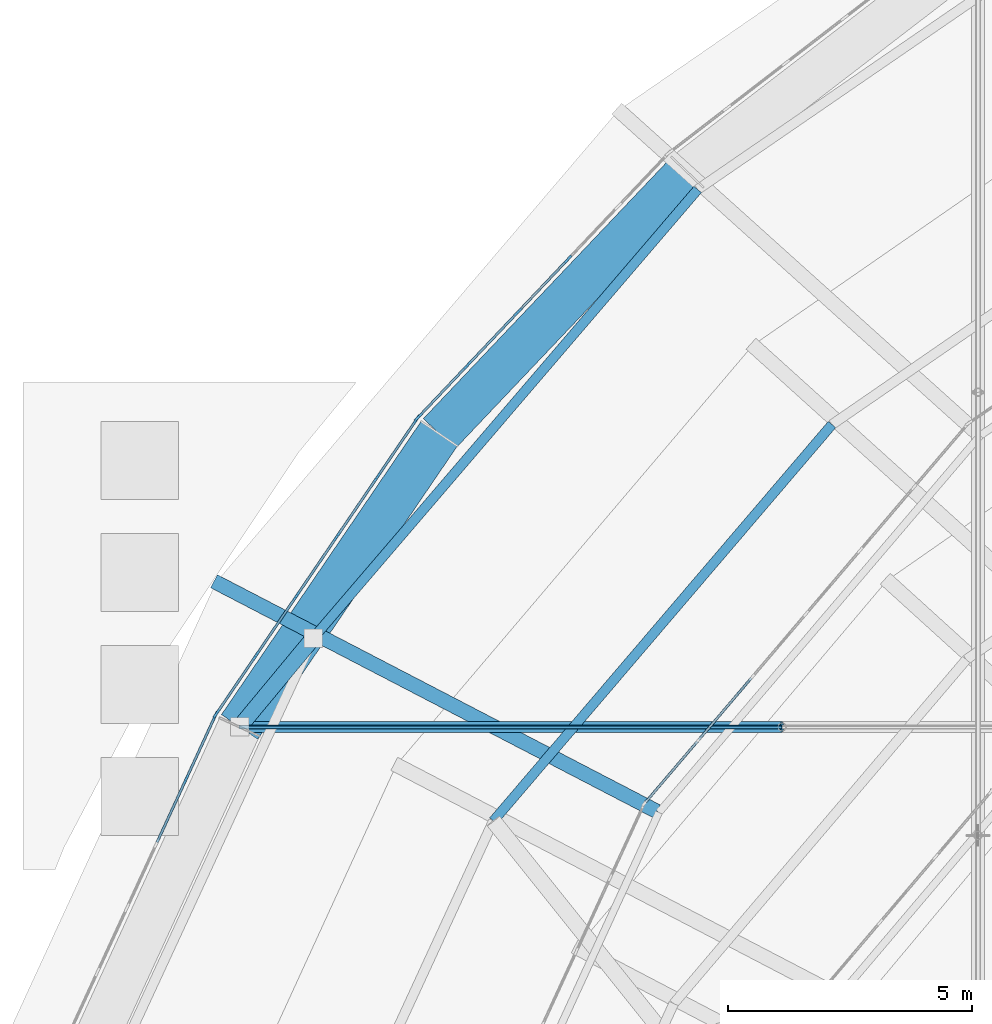
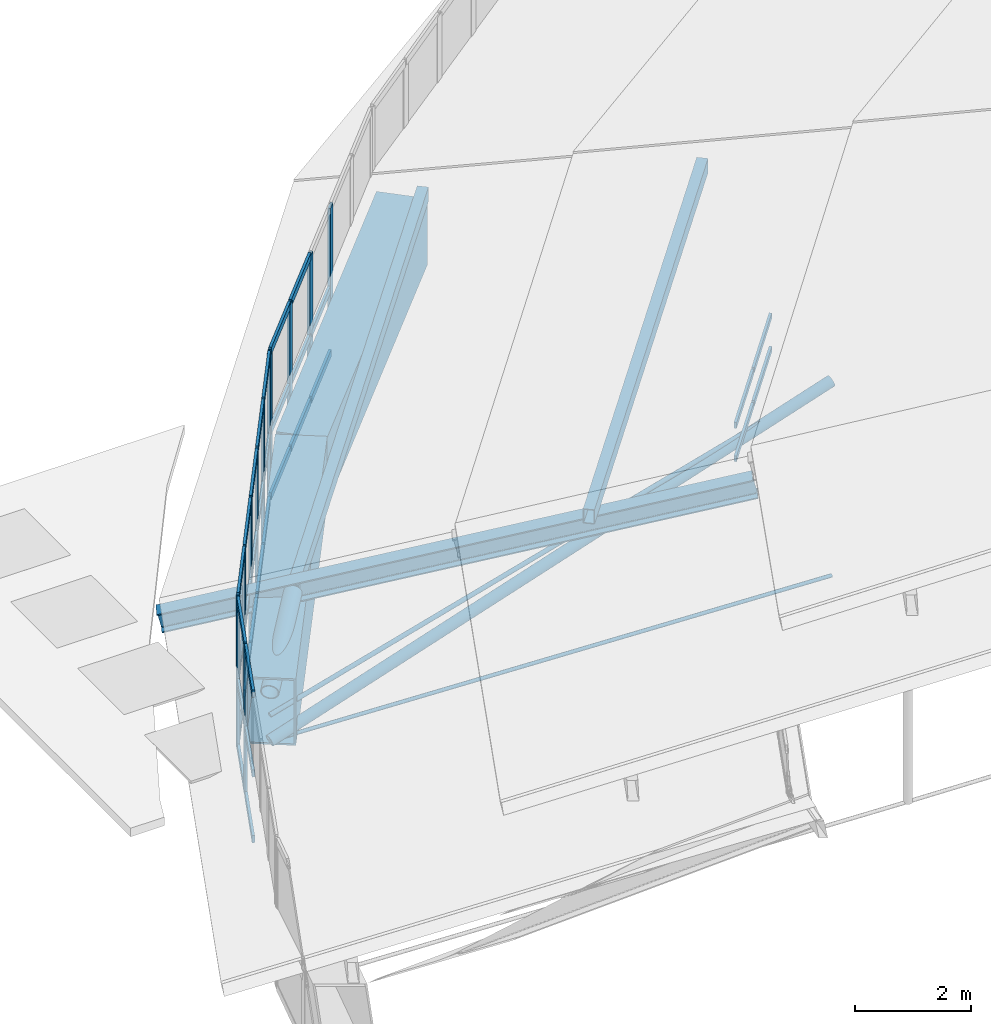
# One storey, part 101 of 173: 52 members, 2 beams, 4 elements without a shape of their own.
"""IFC4 building model written with IfcOpenShell, lengths in metres."""

from ifc_helpers import new_model, si_unit, direction, frame, origin, origin_2d, place, context, subcontext, project, spatial, rectangle, hollow_rectangle, circle, hollow_circle, i_section, extrude, material, material_profile, profile_set, type_object, element, aggregate, save


model = new_model("IFC4")

# Units and contexts
model_context = context("Model", 3, precision=1e-05, world=origin(), true_north=direction((0.0, 1.0)))
body_context = subcontext(model_context, "Body", "Model", "MODEL_VIEW")
ifc_project = project(units=[si_unit("LENGTHUNIT", "METRE"), si_unit("AREAUNIT", "SQUARE_METRE"), si_unit("VOLUMEUNIT", "CUBIC_METRE"), si_unit("PLANEANGLEUNIT", "RADIAN"), si_unit("MASSUNIT", "GRAM", prefix="KILO")], contexts=[model_context])

# Site, building, storey
site_placement = place(None, origin())
site = spatial("IfcSite", under=ifc_project, at=site_placement, CompositionType="ELEMENT")
building_placement = place(site_placement, origin())
building = spatial("IfcBuilding", under=site, at=building_placement, Name="Glasvene Arena", CompositionType="ELEMENT")
storey_placement = place(building_placement, frame((0.0, 0.0, 28.800048828125)))
storey = spatial("IfcBuildingStorey", under=building, at=storey_placement, Name="RF", CompositionType="ELEMENT", Elevation=28.800048828125)

# Beams
ifc_material_1 = material(Name="Steel S355J2", Category="steel")
ifc_material_profile_1 = material_profile(ifc_material_1, hollow_rectangle(XDim=0.89990234375, YDim=1.39990234375, WallThickness=0.034912109375, at=origin_2d()), Name="WBOX 900x1400x35")
ifc_profile_set_1 = profile_set([ifc_material_profile_1], Name="Steel S355J2")
beam_type = type_object("IfcBeamType", Name="BM-RING-BOX1400", PredefinedType="USERDEFINED", material=ifc_profile_set_1)
beam_1_placement = place(storey_placement, frame((56.644775390625, 104.81982421875, -0.699951171875), z_axis=(-0.688345435881, -0.725383044261, 0.0), x_axis=(0.725383044261, -0.688345435881, 0.0)))
element("IfcBeam", 1, at=beam_1_placement, inside=storey, type_object=beam_type, Name="Compression ring beam chord RB-16", ObjectType="RING BEAM", PredefinedType="USERDEFINED", context=body_context, shape_type="SweptSolid", body=[
    extrude(hollow_rectangle(XDim=0.89990234375, YDim=1.39990234375, WallThickness=0.034912109375, at=origin_2d()), origin(), (0.0, 0.0, 1.0), 7.402587890625),
])
beam_2_placement = place(storey_placement, frame((51.54931640625, 99.4501953125, -0.699951171875), z_axis=(-0.562841652838, -0.826564742674, 0.0), x_axis=(0.826564742674, -0.562841652838, 0.0)))
element("IfcBeam", 2, at=beam_2_placement, inside=storey, type_object=beam_type, Name="Compression ring beam chord RB-17", ObjectType="RING BEAM", PredefinedType="USERDEFINED", context=body_context, shape_type="SweptSolid", body=[
    extrude(hollow_rectangle(XDim=0.89990234375, YDim=1.39990234375, WallThickness=0.034912109375, at=origin_2d()), origin(), (0.0, 0.0, 1.0), 7.28369140625),
])

# Curtain wall, members
ifc_material_2 = material(Name="Low-emissivity laminated double glazing", Category="glass")
curtain_wall_type_1 = type_object("IfcCurtainWallType", Name="CW-DRUM-749x310", PredefinedType="USERDEFINED", material=ifc_material_2)
curtain_wall_1_placement = place(storey_placement, frame((56.255859375, 105.208740234375, 0.0)))
curtain_wall_1 = element("IfcCurtainWall", 3, at=curtain_wall_1_placement, inside=storey, type_object=curtain_wall_type_1, Name="Crown compression-ring fascia curtain wall 16", ObjectType="CURTAIN WALL", PredefinedType="USERDEFINED")
ifc_material_3 = material(Name="Anodised architectural aluminium", Category="aluminium")
ifc_material_profile_2 = material_profile(ifc_material_3, rectangle(XDim=0.050048828125, YDim=0.199951171875, at=origin_2d()), Name="ALU MULLION 50x200")
ifc_profile_set_2 = profile_set([ifc_material_profile_2], Name="Anodised architectural aluminium")
member_type_1 = type_object("IfcMemberType", Name="CW-MUL-180", PredefinedType="MULLION", material=ifc_profile_set_2)
member_1_placement = place(storey_placement, frame((54.195068359375, 103.03466796875, -1.380126953125), z_axis=(0.0, 0.0, 1.0), x_axis=(0.725782125252, -0.687924637344, 0.0)))
member_1 = element("IfcMember", 4, at=member_1_placement, type_object=member_type_1, Name="CW-075 mullion 3", PredefinedType="MULLION", context=body_context, shape_type="SweptSolid", body=[
    extrude(rectangle(XDim=0.050048828125, YDim=0.199951171875, at=origin_2d()), origin(), (0.0, 0.0, 1.0), 3.10009765625),
])
member_2_placement = place(storey_placement, frame((53.164794921875, 101.94775390625, -1.380126953125), z_axis=(0.0, 0.0, 1.0), x_axis=(0.725782125252, -0.687924637344, 0.0)))
member_2 = element("IfcMember", 5, at=member_2_placement, type_object=member_type_1, Name="CW-075 mullion 4", PredefinedType="MULLION", context=body_context, shape_type="SweptSolid", body=[
    extrude(rectangle(XDim=0.050048828125, YDim=0.199951171875, at=origin_2d()), origin(), (0.0, 0.0, 1.0), 3.10009765625),
])
member_3_placement = place(storey_placement, frame((52.134521484375, 100.860595703125, -1.380126953125), z_axis=(0.0, 0.0, 1.0), x_axis=(0.725782125252, -0.687924637344, 0.0)))
member_3 = element("IfcMember", 6, at=member_3_placement, type_object=member_type_1, Name="CW-075 mullion 5", PredefinedType="MULLION", context=body_context, shape_type="SweptSolid", body=[
    extrude(rectangle(XDim=0.050048828125, YDim=0.199951171875, at=origin_2d()), origin(), (0.0, 0.0, 1.0), 3.10009765625),
])
member_4_placement = place(storey_placement, frame((51.121337890625, 99.791748046875, -1.380126953125), z_axis=(0.0, 0.0, 1.0), x_axis=(0.725782125252, -0.687924637344, 0.0)))
member_4 = element("IfcMember", 7, at=member_4_placement, type_object=member_type_1, Name="CW-075 mullion 6", PredefinedType="MULLION", context=body_context, shape_type="SweptSolid", body=[
    extrude(rectangle(XDim=0.050048828125, YDim=0.199951171875, at=origin_2d()), origin(), (0.0, 0.0, 1.0), 3.10009765625),
])

curtain_wall_type_2 = type_object("IfcCurtainWallType", Name="CW-DRUM-737x310", PredefinedType="USERDEFINED", material=ifc_material_2)
curtain_wall_2_placement = place(storey_placement, frame((51.104248046875, 99.773681640625, 0.0)))
curtain_wall_2 = element("IfcCurtainWall", 8, at=curtain_wall_2_placement, inside=storey, type_object=curtain_wall_type_2, Name="Crown compression-ring fascia curtain wall 17", ObjectType="CURTAIN WALL", PredefinedType="USERDEFINED")
member_5_placement = place(storey_placement, frame((51.090087890625, 99.7529296875, -1.380126953125), z_axis=(0.0, 0.0, 1.0), x_axis=(0.826896469394, -0.56235418457, 0.0)))
member_5 = element("IfcMember", 9, at=member_5_placement, type_object=member_type_1, Name="CW-074 mullion 1", PredefinedType="MULLION", context=body_context, shape_type="SweptSolid", body=[
    extrude(rectangle(XDim=0.050048828125, YDim=0.199951171875, at=origin_2d()), origin(), (0.0, 0.0, 1.0), 3.10009765625),
])
member_6_placement = place(storey_placement, frame((50.275390625, 98.5546875, -1.380126953125), z_axis=(0.0, 0.0, 1.0), x_axis=(0.826896469394, -0.56235418457, 0.0)))
member_6 = element("IfcMember", 10, at=member_6_placement, type_object=member_type_1, Name="CW-074 mullion 2", PredefinedType="MULLION", context=body_context, shape_type="SweptSolid", body=[
    extrude(rectangle(XDim=0.050048828125, YDim=0.199951171875, at=origin_2d()), origin(), (0.0, 0.0, 1.0), 3.10009765625),
])
member_7_placement = place(storey_placement, frame((49.4462890625, 97.3359375, -1.380126953125), z_axis=(0.0, 0.0, 1.0), x_axis=(0.826896469394, -0.56235418457, 0.0)))
member_7 = element("IfcMember", 11, at=member_7_placement, type_object=member_type_1, Name="CW-074 mullion 3", PredefinedType="MULLION", context=body_context, shape_type="SweptSolid", body=[
    extrude(rectangle(XDim=0.050048828125, YDim=0.199951171875, at=origin_2d()), origin(), (0.0, 0.0, 1.0), 3.10009765625),
])
member_8_placement = place(storey_placement, frame((48.617431640625, 96.116943359375, -1.380126953125), z_axis=(0.0, 0.0, 1.0), x_axis=(0.826896469394, -0.56235418457, 0.0)))
member_8 = element("IfcMember", 12, at=member_8_placement, type_object=member_type_1, Name="CW-074 mullion 4", PredefinedType="MULLION", context=body_context, shape_type="SweptSolid", body=[
    extrude(rectangle(XDim=0.050048828125, YDim=0.199951171875, at=origin_2d()), origin(), (0.0, 0.0, 1.0), 3.10009765625),
])
member_9_placement = place(storey_placement, frame((47.78857421875, 94.898193359375, -1.380126953125), z_axis=(0.0, 0.0, 1.0), x_axis=(0.826896469394, -0.56235418457, 0.0)))
member_9 = element("IfcMember", 13, at=member_9_placement, type_object=member_type_1, Name="CW-074 mullion 5", PredefinedType="MULLION", context=body_context, shape_type="SweptSolid", body=[
    extrude(rectangle(XDim=0.050048828125, YDim=0.199951171875, at=origin_2d()), origin(), (0.0, 0.0, 1.0), 3.10009765625),
])
member_10_placement = place(storey_placement, frame((46.9736328125, 93.699951171875, -1.380126953125), z_axis=(0.0, 0.0, 1.0), x_axis=(0.826896469394, -0.56235418457, 0.0)))
member_10 = element("IfcMember", 14, at=member_10_placement, type_object=member_type_1, Name="CW-074 mullion 6", PredefinedType="MULLION", context=body_context, shape_type="SweptSolid", body=[
    extrude(rectangle(XDim=0.050048828125, YDim=0.199951171875, at=origin_2d()), origin(), (0.0, 0.0, 1.0), 3.10009765625),
])

curtain_wall_type_3 = type_object("IfcCurtainWallType", Name="CW-DRUM-727x310", PredefinedType="USERDEFINED", material=ifc_material_2)
curtain_wall_3_placement = place(storey_placement, frame((46.959716796875, 93.67919921875, 0.0)))
curtain_wall_3 = element("IfcCurtainWall", 15, at=curtain_wall_3_placement, inside=storey, type_object=curtain_wall_type_3, Name="Crown compression-ring fascia curtain wall 18", ObjectType="CURTAIN WALL", PredefinedType="USERDEFINED")
member_11_placement = place(storey_placement, frame((46.94921875, 93.656494140625, -1.380126953125), z_axis=(0.0, 0.0, 1.0), x_axis=(0.908603046232, -0.417660752738, 0.0)))
member_11 = element("IfcMember", 16, at=member_11_placement, type_object=member_type_1, Name="CW-073 mullion 1", PredefinedType="MULLION", context=body_context, shape_type="SweptSolid", body=[
    extrude(rectangle(XDim=0.050048828125, YDim=0.199951171875, at=origin_2d()), origin(), (0.0, 0.0, 1.0), 3.10009765625),
])
member_12_placement = place(storey_placement, frame((46.3525390625, 92.358642578125, -1.380126953125), z_axis=(0.0, 0.0, 1.0), x_axis=(0.908603046232, -0.417660752738, 0.0)))
member_12 = element("IfcMember", 17, at=member_12_placement, type_object=member_type_1, Name="CW-073 mullion 2", PredefinedType="MULLION", context=body_context, shape_type="SweptSolid", body=[
    extrude(rectangle(XDim=0.050048828125, YDim=0.199951171875, at=origin_2d()), origin(), (0.0, 0.0, 1.0), 3.10009765625),
])

curtain_wall_type_4 = type_object("IfcCurtainWallType", Name="CW-PET1-1026x75", PredefinedType="USERDEFINED", material=ifc_material_2)
curtain_wall_4_placement = place(storey_placement, frame((62.40771484375, 99.657958984375, 0.0)))
curtain_wall_4 = element("IfcCurtainWall", 18, at=curtain_wall_4_placement, inside=storey, type_object=curtain_wall_type_4, Name="Petal ring 1-2 clerestory curtain wall 10", ObjectType="CURTAIN WALL", PredefinedType="USERDEFINED")
ifc_material_profile_3 = material_profile(ifc_material_3, rectangle(XDim=0.050048828125, YDim=0.1201171875, at=origin_2d()), Name="ALU TRANSOM 50x120")
ifc_profile_set_3 = profile_set([ifc_material_profile_3], Name="Anodised architectural aluminium")
member_type_2 = type_object("IfcMemberType", Name="CW-TRN-120", PredefinedType="USERDEFINED", material=ifc_profile_set_3)
member_13_placement = place(storey_placement, frame((57.95751953125, 94.43359375, 2.60498046875), z_axis=(-0.648425401794, -0.761278200337, 0.0), x_axis=(0.761278200337, -0.648425401794, 0.0)))
member_13 = element("IfcMember", 19, at=member_13_placement, type_object=member_type_2, Name="CW-083 transom 5.1", ObjectType="TRANSOM", PredefinedType="USERDEFINED", context=body_context, shape_type="SweptSolid", body=[
    extrude(rectangle(XDim=0.050048828125, YDim=0.1201171875, at=origin_2d()), origin(), (0.0, 0.0, 1.0), 1.6591796875),
])
member_14_placement = place(storey_placement, frame((57.95751953125, 94.43359375, 3.304931640625), z_axis=(-0.648425401794, -0.761278200337, 0.0), x_axis=(0.761278200337, -0.648425401794, 0.0)))
member_14 = element("IfcMember", 20, at=member_14_placement, type_object=member_type_2, Name="CW-083 transom 5.2", ObjectType="TRANSOM", PredefinedType="USERDEFINED", context=body_context, shape_type="SweptSolid", body=[
    extrude(rectangle(XDim=0.050048828125, YDim=0.1201171875, at=origin_2d()), origin(), (0.0, 0.0, 1.0), 1.6591796875),
])
member_15_placement = place(storey_placement, frame((56.84912109375, 93.13232421875, 2.60498046875), z_axis=(-0.648463249482, -0.761245961613, 0.0), x_axis=(0.761245961613, -0.648463249482, 0.0)))
member_15 = element("IfcMember", 21, at=member_15_placement, type_object=member_type_2, Name="CW-083 transom 6.1", ObjectType="TRANSOM", PredefinedType="USERDEFINED", context=body_context, shape_type="SweptSolid", body=[
    extrude(rectangle(XDim=0.050048828125, YDim=0.1201171875, at=origin_2d()), origin(), (0.0, 0.0, 1.0), 1.63427734375),
])
member_16_placement = place(storey_placement, frame((56.84912109375, 93.13232421875, 3.304931640625), z_axis=(-0.648463249482, -0.761245961613, 0.0), x_axis=(0.761245961613, -0.648463249482, 0.0)))
member_16 = element("IfcMember", 22, at=member_16_placement, type_object=member_type_2, Name="CW-083 transom 6.2", ObjectType="TRANSOM", PredefinedType="USERDEFINED", context=body_context, shape_type="SweptSolid", body=[
    extrude(rectangle(XDim=0.050048828125, YDim=0.1201171875, at=origin_2d()), origin(), (0.0, 0.0, 1.0), 1.63427734375),
])
aggregate(curtain_wall_4, [member_13, member_14, member_15, member_16])

# Member
ifc_material_profile_4 = material_profile(ifc_material_3, rectangle(XDim=0.050048828125, YDim=0.14990234375, at=origin_2d()), Name="ALU TRANSOM 50x150")
ifc_profile_set_4 = profile_set([ifc_material_profile_4], Name="Anodised architectural aluminium")
member_type_3 = type_object("IfcMemberType", Name="CW-TRN-150", PredefinedType="USERDEFINED", material=ifc_profile_set_4)
member_17_placement = place(storey_placement, frame((54.177978515625, 103.0166015625, -1.35498046875), z_axis=(-0.687880286025, -0.725824160591, 0.0), x_axis=(0.725824160591, -0.687880286025, 0.0)))
member_17 = element("IfcMember", 23, at=member_17_placement, type_object=member_type_3, Name="CW-075 transom 3.1", ObjectType="TRANSOM", PredefinedType="USERDEFINED", context=body_context, shape_type="SweptSolid", body=[
    extrude(rectangle(XDim=0.050048828125, YDim=0.14990234375, at=origin_2d()), origin(), (0.0, 0.0, 1.0), 1.44775390625),
])

member_18_placement = place(storey_placement, frame((54.177978515625, 103.0166015625, 0.02001953125), z_axis=(-0.687880286025, -0.725824160591, 0.0), x_axis=(0.725824160591, -0.687880286025, 0.0)))
member_18 = element("IfcMember", 24, at=member_18_placement, type_object=member_type_3, Name="CW-075 transom 3.2", ObjectType="TRANSOM", PredefinedType="USERDEFINED", context=body_context, shape_type="SweptSolid", body=[
    extrude(rectangle(XDim=0.050048828125, YDim=0.14990234375, at=origin_2d()), origin(), (0.0, 0.0, 1.0), 1.44775390625),
])

member_19_placement = place(storey_placement, frame((53.147705078125, 101.929443359375, -1.35498046875), z_axis=(-0.687969113319, -0.725739966599, 0.0), x_axis=(0.725739966599, -0.687969113319, 0.0)))
member_19 = element("IfcMember", 25, at=member_19_placement, type_object=member_type_3, Name="CW-075 transom 4.1", ObjectType="TRANSOM", PredefinedType="USERDEFINED", context=body_context, shape_type="SweptSolid", body=[
    extrude(rectangle(XDim=0.050048828125, YDim=0.14990234375, at=origin_2d()), origin(), (0.0, 0.0, 1.0), 1.44775390625),
])

member_20_placement = place(storey_placement, frame((53.147705078125, 101.929443359375, 0.02001953125), z_axis=(-0.687969113319, -0.725739966599, 0.0), x_axis=(0.725739966599, -0.687969113319, 0.0)))
member_20 = element("IfcMember", 26, at=member_20_placement, type_object=member_type_3, Name="CW-075 transom 4.2", ObjectType="TRANSOM", PredefinedType="USERDEFINED", context=body_context, shape_type="SweptSolid", body=[
    extrude(rectangle(XDim=0.050048828125, YDim=0.14990234375, at=origin_2d()), origin(), (0.0, 0.0, 1.0), 1.44775390625),
])

member_21_placement = place(storey_placement, frame((53.147705078125, 101.929443359375, 1.695068359375), z_axis=(-0.687969113319, -0.725739966599, 0.0), x_axis=(0.725739966599, -0.687969113319, 0.0)))
member_21 = element("IfcMember", 27, at=member_21_placement, type_object=member_type_3, Name="CW-075 transom 4.3", ObjectType="TRANSOM", PredefinedType="USERDEFINED", context=body_context, shape_type="SweptSolid", body=[
    extrude(rectangle(XDim=0.050048828125, YDim=0.14990234375, at=origin_2d()), origin(), (0.0, 0.0, 1.0), 1.44775390625),
])

member_22_placement = place(storey_placement, frame((52.117431640625, 100.842529296875, -1.35498046875), z_axis=(-0.687892173454, -0.725812894416, 0.0), x_axis=(0.725812894416, -0.687892173454, 0.0)))
member_22 = element("IfcMember", 28, at=member_22_placement, type_object=member_type_3, Name="CW-075 transom 5.1", ObjectType="TRANSOM", PredefinedType="USERDEFINED", context=body_context, shape_type="SweptSolid", body=[
    extrude(rectangle(XDim=0.050048828125, YDim=0.14990234375, at=origin_2d()), origin(), (0.0, 0.0, 1.0), 1.4228515625),
])

member_23_placement = place(storey_placement, frame((52.117431640625, 100.842529296875, 0.02001953125), z_axis=(-0.687892173454, -0.725812894416, 0.0), x_axis=(0.725812894416, -0.687892173454, 0.0)))
member_23 = element("IfcMember", 29, at=member_23_placement, type_object=member_type_3, Name="CW-075 transom 5.2", ObjectType="TRANSOM", PredefinedType="USERDEFINED", context=body_context, shape_type="SweptSolid", body=[
    extrude(rectangle(XDim=0.050048828125, YDim=0.14990234375, at=origin_2d()), origin(), (0.0, 0.0, 1.0), 1.4228515625),
])

member_24_placement = place(storey_placement, frame((52.117431640625, 100.842529296875, 1.695068359375), z_axis=(-0.687892173454, -0.725812894416, 0.0), x_axis=(0.725812894416, -0.687892173454, 0.0)))
member_24 = element("IfcMember", 30, at=member_24_placement, type_object=member_type_3, Name="CW-075 transom 5.3", ObjectType="TRANSOM", PredefinedType="USERDEFINED", context=body_context, shape_type="SweptSolid", body=[
    extrude(rectangle(XDim=0.050048828125, YDim=0.14990234375, at=origin_2d()), origin(), (0.0, 0.0, 1.0), 1.4228515625),
])

aggregate(curtain_wall_1, [member_1, member_2, member_3, member_4, member_17, member_18, member_19, member_20, member_21, member_22, member_23, member_24])

member_25_placement = place(storey_placement, frame((51.076171875, 99.732177734375, -1.35498046875), z_axis=(-0.56244843843, -0.826832361551, 0.0), x_axis=(0.826832361551, -0.56244843843, 0.0)))
member_25 = element("IfcMember", 31, at=member_25_placement, type_object=member_type_3, Name="CW-074 transom 1.1", ObjectType="TRANSOM", PredefinedType="USERDEFINED", context=body_context, shape_type="SweptSolid", body=[
    extrude(rectangle(XDim=0.050048828125, YDim=0.14990234375, at=origin_2d()), origin(), (0.0, 0.0, 1.0), 1.39892578125),
])

member_26_placement = place(storey_placement, frame((51.076171875, 99.732177734375, 0.02001953125), z_axis=(-0.56244843843, -0.826832361551, 0.0), x_axis=(0.826832361551, -0.56244843843, 0.0)))
member_26 = element("IfcMember", 32, at=member_26_placement, type_object=member_type_3, Name="CW-074 transom 1.2", ObjectType="TRANSOM", PredefinedType="USERDEFINED", context=body_context, shape_type="SweptSolid", body=[
    extrude(rectangle(XDim=0.050048828125, YDim=0.14990234375, at=origin_2d()), origin(), (0.0, 0.0, 1.0), 1.39892578125),
])

member_27_placement = place(storey_placement, frame((51.076171875, 99.732177734375, 1.695068359375), z_axis=(-0.56244843843, -0.826832361551, 0.0), x_axis=(0.826832361551, -0.56244843843, 0.0)))
member_27 = element("IfcMember", 33, at=member_27_placement, type_object=member_type_3, Name="CW-074 transom 1.3", ObjectType="TRANSOM", PredefinedType="USERDEFINED", context=body_context, shape_type="SweptSolid", body=[
    extrude(rectangle(XDim=0.050048828125, YDim=0.14990234375, at=origin_2d()), origin(), (0.0, 0.0, 1.0), 1.39892578125),
])

member_28_placement = place(storey_placement, frame((50.26123046875, 98.5341796875, -1.35498046875), z_axis=(-0.562272509987, -0.826952008591, 0.0), x_axis=(0.826952008591, -0.562272509987, 0.0)))
member_28 = element("IfcMember", 34, at=member_28_placement, type_object=member_type_3, Name="CW-074 transom 2.1", ObjectType="TRANSOM", PredefinedType="USERDEFINED", context=body_context, shape_type="SweptSolid", body=[
    extrude(rectangle(XDim=0.050048828125, YDim=0.14990234375, at=origin_2d()), origin(), (0.0, 0.0, 1.0), 1.424072265625),
])

member_29_placement = place(storey_placement, frame((50.26123046875, 98.5341796875, 0.02001953125), z_axis=(-0.562272509987, -0.826952008591, 0.0), x_axis=(0.826952008591, -0.562272509987, 0.0)))
member_29 = element("IfcMember", 35, at=member_29_placement, type_object=member_type_3, Name="CW-074 transom 2.2", ObjectType="TRANSOM", PredefinedType="USERDEFINED", context=body_context, shape_type="SweptSolid", body=[
    extrude(rectangle(XDim=0.050048828125, YDim=0.14990234375, at=origin_2d()), origin(), (0.0, 0.0, 1.0), 1.424072265625),
])

member_30_placement = place(storey_placement, frame((50.26123046875, 98.5341796875, 1.695068359375), z_axis=(-0.562272509987, -0.826952008591, 0.0), x_axis=(0.826952008591, -0.562272509987, 0.0)))
member_30 = element("IfcMember", 36, at=member_30_placement, type_object=member_type_3, Name="CW-074 transom 2.3", ObjectType="TRANSOM", PredefinedType="USERDEFINED", context=body_context, shape_type="SweptSolid", body=[
    extrude(rectangle(XDim=0.050048828125, YDim=0.14990234375, at=origin_2d()), origin(), (0.0, 0.0, 1.0), 1.424072265625),
])

member_31_placement = place(storey_placement, frame((49.432373046875, 97.315185546875, -1.35498046875), z_axis=(-0.562352226354, -0.82689780113, 0.0), x_axis=(0.82689780113, -0.562352226354, 0.0)))
member_31 = element("IfcMember", 37, at=member_31_placement, type_object=member_type_3, Name="CW-074 transom 3.1", ObjectType="TRANSOM", PredefinedType="USERDEFINED", context=body_context, shape_type="SweptSolid", body=[
    extrude(rectangle(XDim=0.050048828125, YDim=0.14990234375, at=origin_2d()), origin(), (0.0, 0.0, 1.0), 1.424072265625),
])

member_32_placement = place(storey_placement, frame((49.432373046875, 97.315185546875, 0.02001953125), z_axis=(-0.562352226354, -0.82689780113, 0.0), x_axis=(0.82689780113, -0.562352226354, 0.0)))
member_32 = element("IfcMember", 38, at=member_32_placement, type_object=member_type_3, Name="CW-074 transom 3.2", ObjectType="TRANSOM", PredefinedType="USERDEFINED", context=body_context, shape_type="SweptSolid", body=[
    extrude(rectangle(XDim=0.050048828125, YDim=0.14990234375, at=origin_2d()), origin(), (0.0, 0.0, 1.0), 1.424072265625),
])

member_33_placement = place(storey_placement, frame((49.432373046875, 97.315185546875, 1.695068359375), z_axis=(-0.562352226354, -0.82689780113, 0.0), x_axis=(0.82689780113, -0.562352226354, 0.0)))
member_33 = element("IfcMember", 39, at=member_33_placement, type_object=member_type_3, Name="CW-074 transom 3.3", ObjectType="TRANSOM", PredefinedType="USERDEFINED", context=body_context, shape_type="SweptSolid", body=[
    extrude(rectangle(XDim=0.050048828125, YDim=0.14990234375, at=origin_2d()), origin(), (0.0, 0.0, 1.0), 1.424072265625),
])

member_34_placement = place(storey_placement, frame((48.603271484375, 96.096435546875, -1.35498046875), z_axis=(-0.562352226354, -0.82689780113, 0.0), x_axis=(0.82689780113, -0.562352226354, 0.0)))
member_34 = element("IfcMember", 40, at=member_34_placement, type_object=member_type_3, Name="CW-074 transom 4.1", ObjectType="TRANSOM", PredefinedType="USERDEFINED", context=body_context, shape_type="SweptSolid", body=[
    extrude(rectangle(XDim=0.050048828125, YDim=0.14990234375, at=origin_2d()), origin(), (0.0, 0.0, 1.0), 1.424072265625),
])

member_35_placement = place(storey_placement, frame((48.603271484375, 96.096435546875, 0.02001953125), z_axis=(-0.562352226354, -0.82689780113, 0.0), x_axis=(0.82689780113, -0.562352226354, 0.0)))
member_35 = element("IfcMember", 41, at=member_35_placement, type_object=member_type_3, Name="CW-074 transom 4.2", ObjectType="TRANSOM", PredefinedType="USERDEFINED", context=body_context, shape_type="SweptSolid", body=[
    extrude(rectangle(XDim=0.050048828125, YDim=0.14990234375, at=origin_2d()), origin(), (0.0, 0.0, 1.0), 1.424072265625),
])

member_36_placement = place(storey_placement, frame((48.603271484375, 96.096435546875, 1.695068359375), z_axis=(-0.562352226354, -0.82689780113, 0.0), x_axis=(0.82689780113, -0.562352226354, 0.0)))
member_36 = element("IfcMember", 42, at=member_36_placement, type_object=member_type_3, Name="CW-074 transom 4.3", ObjectType="TRANSOM", PredefinedType="USERDEFINED", context=body_context, shape_type="SweptSolid", body=[
    extrude(rectangle(XDim=0.050048828125, YDim=0.14990234375, at=origin_2d()), origin(), (0.0, 0.0, 1.0), 1.424072265625),
])

member_37_placement = place(storey_placement, frame((47.7744140625, 94.87744140625, -1.35498046875), z_axis=(-0.562329116221, -0.826913517274, 0.0), x_axis=(0.826913517274, -0.562329116221, 0.0)))
member_37 = element("IfcMember", 43, at=member_37_placement, type_object=member_type_3, Name="CW-074 transom 5.1", ObjectType="TRANSOM", PredefinedType="USERDEFINED", context=body_context, shape_type="SweptSolid", body=[
    extrude(rectangle(XDim=0.050048828125, YDim=0.14990234375, at=origin_2d()), origin(), (0.0, 0.0, 1.0), 1.39892578125),
])

member_38_placement = place(storey_placement, frame((47.7744140625, 94.87744140625, 0.02001953125), z_axis=(-0.562329116221, -0.826913517274, 0.0), x_axis=(0.826913517274, -0.562329116221, 0.0)))
member_38 = element("IfcMember", 44, at=member_38_placement, type_object=member_type_3, Name="CW-074 transom 5.2", ObjectType="TRANSOM", PredefinedType="USERDEFINED", context=body_context, shape_type="SweptSolid", body=[
    extrude(rectangle(XDim=0.050048828125, YDim=0.14990234375, at=origin_2d()), origin(), (0.0, 0.0, 1.0), 1.39892578125),
])

member_39_placement = place(storey_placement, frame((47.7744140625, 94.87744140625, 1.695068359375), z_axis=(-0.562329116221, -0.826913517274, 0.0), x_axis=(0.826913517274, -0.562329116221, 0.0)))
member_39 = element("IfcMember", 45, at=member_39_placement, type_object=member_type_3, Name="CW-074 transom 5.3", ObjectType="TRANSOM", PredefinedType="USERDEFINED", context=body_context, shape_type="SweptSolid", body=[
    extrude(rectangle(XDim=0.050048828125, YDim=0.14990234375, at=origin_2d()), origin(), (0.0, 0.0, 1.0), 1.39892578125),
])

aggregate(curtain_wall_2, [member_5, member_6, member_7, member_8, member_9, member_10, member_25, member_26, member_27, member_28, member_29, member_30, member_31, member_32, member_33, member_34, member_35, member_36, member_37, member_38, member_39])

member_40_placement = place(storey_placement, frame((46.938720703125, 93.6337890625, -1.35498046875), z_axis=(-0.417642458451, -0.908611455408, 0.0), x_axis=(0.908611455408, -0.417642458451, 0.0)))
member_40 = element("IfcMember", 46, at=member_40_placement, type_object=member_type_3, Name="CW-073 transom 1.1", ObjectType="TRANSOM", PredefinedType="USERDEFINED", context=body_context, shape_type="SweptSolid", body=[
    extrude(rectangle(XDim=0.050048828125, YDim=0.14990234375, at=origin_2d()), origin(), (0.0, 0.0, 1.0), 1.37841796875),
])

member_41_placement = place(storey_placement, frame((46.938720703125, 93.6337890625, 0.02001953125), z_axis=(-0.417642458451, -0.908611455408, 0.0), x_axis=(0.908611455408, -0.417642458451, 0.0)))
member_41 = element("IfcMember", 47, at=member_41_placement, type_object=member_type_3, Name="CW-073 transom 1.2", ObjectType="TRANSOM", PredefinedType="USERDEFINED", context=body_context, shape_type="SweptSolid", body=[
    extrude(rectangle(XDim=0.050048828125, YDim=0.14990234375, at=origin_2d()), origin(), (0.0, 0.0, 1.0), 1.37841796875),
])

member_42_placement = place(storey_placement, frame((46.938720703125, 93.6337890625, 1.695068359375), z_axis=(-0.417642458451, -0.908611455408, 0.0), x_axis=(0.908611455408, -0.417642458451, 0.0)))
member_42 = element("IfcMember", 48, at=member_42_placement, type_object=member_type_3, Name="CW-073 transom 1.3", ObjectType="TRANSOM", PredefinedType="USERDEFINED", context=body_context, shape_type="SweptSolid", body=[
    extrude(rectangle(XDim=0.050048828125, YDim=0.14990234375, at=origin_2d()), origin(), (0.0, 0.0, 1.0), 1.37841796875),
])

member_43_placement = place(storey_placement, frame((46.342041015625, 92.3359375, -1.35498046875), z_axis=(-0.417612731634, -0.908625118724, 0.0), x_axis=(0.908625118724, -0.417612731634, 0.0)))
member_43 = element("IfcMember", 49, at=member_43_placement, type_object=member_type_3, Name="CW-073 transom 2.1", ObjectType="TRANSOM", PredefinedType="USERDEFINED", context=body_context, shape_type="SweptSolid", body=[
    extrude(rectangle(XDim=0.050048828125, YDim=0.14990234375, at=origin_2d()), origin(), (0.0, 0.0, 1.0), 1.403564453125),
])

member_44_placement = place(storey_placement, frame((46.342041015625, 92.3359375, 0.02001953125), z_axis=(-0.417612731634, -0.908625118724, 0.0), x_axis=(0.908625118724, -0.417612731634, 0.0)))
member_44 = element("IfcMember", 50, at=member_44_placement, type_object=member_type_3, Name="CW-073 transom 2.2", ObjectType="TRANSOM", PredefinedType="USERDEFINED", context=body_context, shape_type="SweptSolid", body=[
    extrude(rectangle(XDim=0.050048828125, YDim=0.14990234375, at=origin_2d()), origin(), (0.0, 0.0, 1.0), 1.403564453125),
])

member_45_placement = place(storey_placement, frame((46.342041015625, 92.3359375, 1.695068359375), z_axis=(-0.417612731634, -0.908625118724, 0.0), x_axis=(0.908625118724, -0.417612731634, 0.0)))
member_45 = element("IfcMember", 51, at=member_45_placement, type_object=member_type_3, Name="CW-073 transom 2.3", ObjectType="TRANSOM", PredefinedType="USERDEFINED", context=body_context, shape_type="SweptSolid", body=[
    extrude(rectangle(XDim=0.050048828125, YDim=0.14990234375, at=origin_2d()), origin(), (0.0, 0.0, 1.0), 1.403564453125),
])

aggregate(curtain_wall_3, [member_11, member_12, member_40, member_41, member_42, member_43, member_44, member_45])

# Members
ifc_material_4 = material(Name="High-strength steel spiral strand S460", Category="steel")
ifc_material_profile_5 = material_profile(ifc_material_4, circle(Radius=0.03759765625, at=origin_2d()), Name="LCSS D75")
ifc_profile_set_5 = profile_set([ifc_material_profile_5], Name="High-strength steel spiral strand S460")
member_type_4 = type_object("IfcMemberType", Name="MB-CABLE-75", PredefinedType="USERDEFINED", material=ifc_profile_set_5)
member_46_placement = place(storey_placement, frame((47.44970703125, 93.4296875, -1.320068359375), z_axis=(0.999244778277, 0.0, -0.038857085416), x_axis=(0.0, 1.0, 0.0)))
element("IfcMember", 52, at=member_46_placement, inside=storey, type_object=member_type_4, Name="Lower stabilization roof cable EW07-01", ObjectType="ROOF CABLE", PredefinedType="USERDEFINED", context=body_context, shape_type="SweptSolid", body=[
    extrude(circle(Radius=0.03759765625, at=origin_2d()), origin(), (0.0, 0.0, 1.0), 11.14599609375),
])
ifc_material_profile_6 = material_profile(ifc_material_4, circle(Radius=0.044921875, at=origin_2d()), Name="LCSS D90")
ifc_profile_set_6 = profile_set([ifc_material_profile_6], Name="High-strength steel spiral strand S460")
member_type_5 = type_object("IfcMemberType", Name="MB-CABLE-90", PredefinedType="USERDEFINED", material=ifc_profile_set_6)
member_47_placement = place(storey_placement, frame((47.44970703125, 93.4296875, -0.780029296875), z_axis=(0.96318079064, 0.0, 0.268854541605), x_axis=(0.0, 1.0, 0.0)))
element("IfcMember", 53, at=member_47_placement, inside=storey, type_object=member_type_5, Name="Upper lens roof cable EW07-01", ObjectType="ROOF CABLE", PredefinedType="USERDEFINED", context=body_context, shape_type="SweptSolid", body=[
    extrude(circle(Radius=0.044921875, at=origin_2d()), origin(), (0.0, 0.0, 1.0), 11.5634765625),
])
ifc_material_profile_7 = material_profile(ifc_material_1, i_section(OverallWidth=0.300048828125, OverallDepth=0.39990234375, WebThickness=0.013427734375, FlangeThickness=0.02392578125, FilletRadius=0.027099609375, at=origin_2d()), Name="HEB 400")
ifc_profile_set_7 = profile_set([ifc_material_profile_7], Name="Steel S355J2")
member_type_6 = type_object("IfcMemberType", Name="MB-CHORD-HEB400", PredefinedType="CHORD", material=ifc_profile_set_7)
member_48_placement = place(storey_placement, frame((46.966796875, 96.39990234375, -0.400146484375), z_axis=(0.862078757918, -0.447935622671, 0.237010322748), x_axis=(0.46107291245, 0.887362253764, 0.0)))
element("IfcMember", 54, at=member_48_placement, inside=storey, type_object=member_type_6, Name="Petal ring 1 radial rib 11", PredefinedType="CHORD", context=body_context, shape_type="SweptSolid", body=[
    extrude(i_section(OverallWidth=0.300048828125, OverallDepth=0.39990234375, WebThickness=0.013427734375, FlangeThickness=0.02392578125, FilletRadius=0.027099609375, at=origin_2d()), origin(), (0.0, 0.0, 1.0), 10.548095703125),
])
ifc_material_profile_8 = material_profile(ifc_material_1, hollow_circle(Radius=0.161865234375, WallThickness=0.01611328125, at=origin_2d()), Name="CHS 323.9x16.0")
ifc_profile_set_8 = profile_set([ifc_material_profile_8], Name="Steel S355J2")
member_type_7 = type_object("IfcMemberType", Name="MB-POST-CHS324", PredefinedType="BRACE", material=ifc_profile_set_8)
member_49_placement = place(storey_placement, frame((47.44970703125, 93.4296875, -0.300048828125), z_axis=(0.626028456856, 0.755286112349, 0.193987782343), x_axis=(-0.769911391409, 0.638150804574, 0.0)))
element("IfcMember", 55, at=member_49_placement, inside=storey, type_object=member_type_7, Name="Petal ring 1 outer support post 11", PredefinedType="BRACE", context=body_context, shape_type="SweptSolid", body=[
    extrude(hollow_circle(Radius=0.161865234375, WallThickness=0.01611328125, at=origin_2d()), origin(), (0.0, 0.0, 1.0), 2.41015625),
])
ifc_material_profile_9 = material_profile(ifc_material_1, hollow_rectangle(XDim=0.199951171875, YDim=0.300048828125, WallThickness=0.012451171875, at=origin_2d()), Name="RHS 300x200x12.5")
ifc_profile_set_9 = profile_set([ifc_material_profile_9], Name="Steel S355J2")
member_type_8 = type_object("IfcMemberType", Name="MB-PURLIN-RHS300", PredefinedType="PURLIN", material=ifc_profile_set_9)
member_50_placement = place(storey_placement, frame((56.856689453125, 104.46630859375, 0.16748046875), z_axis=(-0.650720142041, -0.759317652068, 0.0), x_axis=(0.759317652068, -0.650720142041, 0.0)))
element("IfcMember", 56, at=member_50_placement, inside=storey, type_object=member_type_8, Name="Petal ring 1 outer purlin 10", PredefinedType="PURLIN", context=body_context, shape_type="SweptSolid", body=[
    extrude(hollow_rectangle(XDim=0.199951171875, YDim=0.300048828125, WallThickness=0.012451171875, at=origin_2d()), origin(), (0.0, 0.0, 1.0), 12.1376953125),
])
member_51_placement = place(storey_placement, frame((59.614013671875, 99.639404296875, 2.728515625), z_axis=(-0.649498212185, -0.760363118759, 0.0), x_axis=(0.760363118759, -0.649498212185, 0.0)))
element("IfcMember", 57, at=member_51_placement, inside=storey, type_object=member_type_8, Name="Petal ring 2 outer purlin 10", PredefinedType="PURLIN", context=body_context, shape_type="SweptSolid", body=[
    extrude(hollow_rectangle(XDim=0.199951171875, YDim=0.300048828125, WallThickness=0.012451171875, at=origin_2d()), origin(), (0.0, 0.0, 1.0), 10.70458984375),
])
ifc_material_profile_10 = material_profile(ifc_material_1, hollow_circle(Radius=0.109619140625, WallThickness=0.010009765625, at=origin_2d()), Name="CHS 219.1x10.0")
ifc_profile_set_10 = profile_set([ifc_material_profile_10], Name="Steel S355J2")
member_type_9 = type_object("IfcMemberType", Name="MB-WEB-CHS219", PredefinedType="BRACE", material=ifc_profile_set_10)
member_52_placement = place(storey_placement, frame((47.44970703125, 93.4296875, -1.320068359375), z_axis=(0.950299677294, 0.0, 0.311336672004), x_axis=(0.0, 1.0, 0.0)))
element("IfcMember", 58, at=member_52_placement, inside=storey, type_object=member_type_9, Name="Cable-truss diagonal web strut EW07-01", PredefinedType="BRACE", context=body_context, shape_type="SweptSolid", body=[
    extrude(hollow_circle(Radius=0.109619140625, WallThickness=0.010009765625, at=origin_2d()), origin(), (0.0, 0.0, 1.0), 11.72021484375),
])

save(model, "model.ifc")
